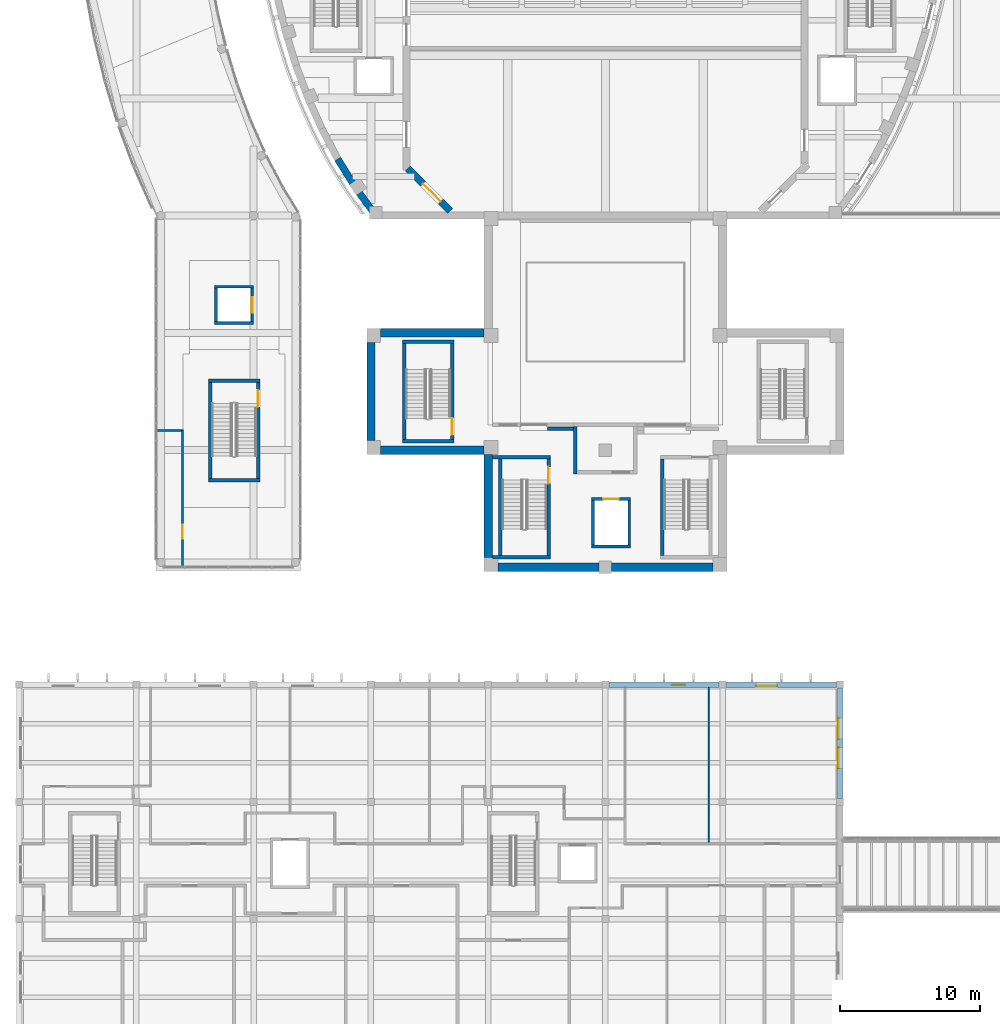
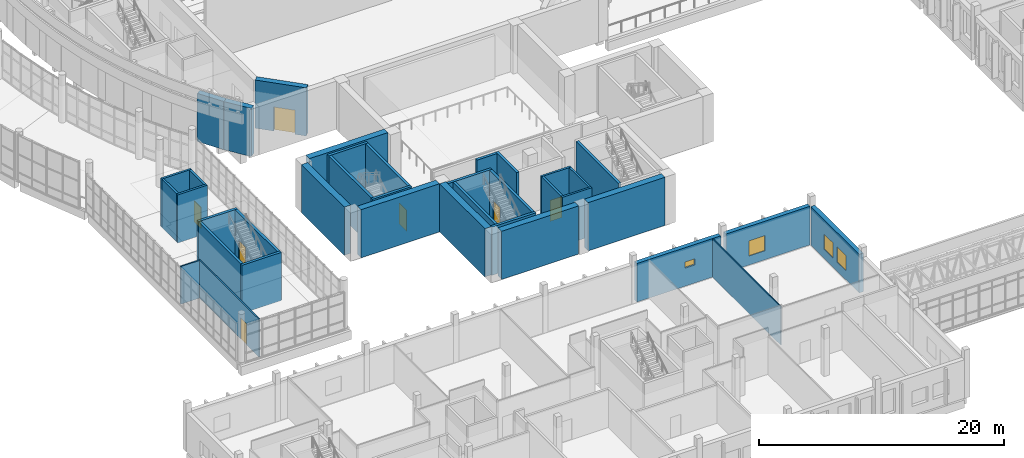
# One storey, part 60 of 119: 38 walls, 7 doors, 4 windows, 11 openings.
"""IFC4 building model written with IfcOpenShell, lengths in metres."""

from ifc_helpers import new_model, si_unit, direction, frame, frame_2d, origin, place, context, subcontext, project, spatial, rectangle, extrude, material, layer, layer_set, type_object, element, fill, save


model = new_model("IFC4")

# Units and contexts
model_context = context("Model", 3, precision=1e-05, world=origin(), true_north=direction((0.0, 1.0)))
body_context = subcontext(model_context, "Body", "Model", "MODEL_VIEW")
ifc_project = project(units=[si_unit("LENGTHUNIT", "METRE"), si_unit("AREAUNIT", "SQUARE_METRE"), si_unit("VOLUMEUNIT", "CUBIC_METRE"), si_unit("PLANEANGLEUNIT", "RADIAN"), si_unit("MASSUNIT", "GRAM", prefix="KILO")], contexts=[model_context])

# Site, building, storey
site_placement = place(None, origin())
site = spatial("IfcSite", under=ifc_project, at=site_placement, CompositionType="ELEMENT")
building_placement = place(site_placement, origin())
building = spatial("IfcBuilding", under=site, at=building_placement, Name="Larchfold Concert Hall", CompositionType="ELEMENT")
storey_placement = place(building_placement, frame((0.0, 0.0, 4.800048828125)))
storey = spatial("IfcBuildingStorey", under=building, at=storey_placement, Name="L01", CompositionType="ELEMENT", Elevation=4.800048828125)

# Wall, opening, door
ifc_material_1 = material(Name="Plasterboard partition on steel studs", Category="steel")
ifc_layer_1 = layer(ifc_material_1, 0.125)
ifc_layer_set_1 = layer_set([ifc_layer_1], Name="Plasterboard partition on steel studs")
wall_type_1 = type_object("IfcWallType", Name="Corridor partition 125 EI 60", PredefinedType="PARTITIONING", material=ifc_layer_set_1)
wall_1_placement = place(storey_placement, frame((12.300048828125, 44.0625, 0.0), z_axis=(0.0, 0.0, 1.0), x_axis=(0.0, -1.0, 0.0)))
wall_1 = element("IfcWall", 1, at=wall_1_placement, inside=storey, type_object=wall_type_1, Name="Partition IW0148", PredefinedType="PARTITIONING", context=body_context, shape_type="SweptSolid", body=[
    extrude(rectangle(XDim=9.78759765625, YDim=0.125, at=frame_2d((4.893798828125, 0.0))), origin(), (0.0, 0.0, 1.0), 3.75),
])
opening_1_placement = place(wall_1_placement, frame((6.815185546875, 0.0, 0.0)))
opening_1 = element("IfcOpeningElement", 2, at=opening_1_placement, cuts=wall_1, Name="Opening D-L01-157", PredefinedType="OPENING", context=body_context, shape_type="SweptSolid", body=[
    extrude(rectangle(XDim=1.0, YDim=2.10009765625, at=frame_2d((0.5, 1.050048828125))), frame((0.0, 0.072509765625, 0.0), z_axis=(0.0, -1.0, 0.0), x_axis=(1.0, 0.0, 0.0)), (0.0, 0.0, 1.0), 0.14501953125),
])
ifc_material_2 = material(Name="Timber door leaf", Category="wood")
door_type_1 = type_object("IfcDoorType", Name="Room door 1000 x 2100 FD30S", OperationType="SINGLE_SWING_LEFT", PredefinedType="DOOR", material=ifc_material_2)
door_1_placement = place(opening_1_placement, origin())
door_1 = element("IfcDoor", 3, at=door_1_placement, inside=storey, type_object=door_type_1, Name="Door D-L01-157", OperationType="SINGLE_SWING_RIGHT", OverallHeight=2.10009765625, OverallWidth=1.0, PredefinedType="DOOR", context=body_context, shape_type="SweptSolid", body=[
    extrude(rectangle(XDim=1.0, YDim=2.10009765625, at=frame_2d((0.5, 1.050048828125))), frame((0.0, 0.02490234375, 0.0), z_axis=(0.0, -1.0, 0.0), x_axis=(1.0, 0.0, 0.0)), (0.0, 0.0, 1.0), 0.050048828125),
])
fill(opening_1, door_1)

# Walls
wall_2_placement = place(storey_placement, frame((10.4833984375, 44.0, 0.0), z_axis=(0.0, 0.0, 1.0), x_axis=(1.0, 0.0, 0.0)))
element("IfcWall", 4, at=wall_2_placement, inside=storey, type_object=wall_type_1, Name="Partition IW0149", PredefinedType="PARTITIONING", context=body_context, shape_type="SweptSolid", body=[
    extrude(rectangle(XDim=1.754150390625, YDim=0.125, at=frame_2d((0.876953125, 0.0))), origin(), (0.0, 0.0, 1.0), 3.75),
])
ifc_material_3 = material(Name="Plasterboard partition on steel studs", Category="steel")
ifc_layer_2 = layer(ifc_material_3, 0.25)
ifc_layer_set_2 = layer_set([ifc_layer_2], Name="Plasterboard partition on steel studs")
wall_type_2 = type_object("IfcWallType", Name="Hall acoustic double-leaf partition 250", PredefinedType="PARTITIONING", material=ifc_layer_set_2)
wall_3_placement = place(storey_placement, frame((40.449951171875, 40.875, 0.0), z_axis=(0.0, 0.0, 1.0), x_axis=(-0.000287232503, 0.999999958749, 0.0)))
element("IfcWall", 5, at=wall_3_placement, inside=storey, type_object=wall_type_2, Name="Partition IW0017", PredefinedType="PARTITIONING", context=body_context, shape_type="SweptSolid", body=[
    extrude(rectangle(XDim=3.39990234375, YDim=0.25, at=frame_2d((1.699951171875, 0.0))), origin(), (0.0, 0.0, 1.0), 4.52001953125),
])
wall_4_placement = place(storey_placement, frame((40.323974609375, 44.14794921875, 0.0), z_axis=(0.0, 0.0, 1.0), x_axis=(-1.0, 0.0, 0.0)))
element("IfcWall", 6, at=wall_4_placement, inside=storey, type_object=wall_type_2, Name="Partition IW0025", PredefinedType="PARTITIONING", context=body_context, shape_type="SweptSolid", body=[
    extrude(rectangle(XDim=1.88916015625, YDim=0.25, at=frame_2d((0.944580078125, 0.0))), origin(), (0.0, 0.0, 1.0), 4.52001953125),
])

# Wall, openings, windows
ifc_material_4 = material(Name="Larch cladding on mineral wool and CLT", Category="wood")
ifc_layer_3 = layer(ifc_material_4, 0.39990234375)
ifc_layer_set_3 = layer_set([ifc_layer_3], Name="Larch cladding on mineral wool and CLT")
wall_type_3 = type_object("IfcWallType", Name="Larch clad infill wall 400", PredefinedType="SOLIDWALL", material=ifc_layer_set_3)
wall_5_placement = place(storey_placement, frame((59.39990234375, 17.64990234375, 0.0), z_axis=(0.0, 0.0, 1.0), x_axis=(0.0, 1.0, 0.0)))
wall_5 = element("IfcWall", 7, at=wall_5_placement, inside=storey, type_object=wall_type_3, Name="Infill wall W5016", PredefinedType="SOLIDWALL", context=body_context, shape_type="SweptSolid", body=[
    extrude(rectangle(XDim=7.900146484375, YDim=0.39990234375, at=frame_2d((3.9501953125, 0.0))), origin(), (0.0, 0.0, 1.0), 3.840087890625),
])
opening_2_placement = place(wall_5_placement, frame((2.150146484375, 0.0, 0.89990234375)))
opening_2 = element("IfcOpeningElement", 8, at=opening_2_placement, cuts=wall_5, Name="Opening WN-L01-003", PredefinedType="OPENING", context=body_context, shape_type="SweptSolid", body=[
    extrude(rectangle(XDim=1.5, YDim=1.5, at=frame_2d((0.75, 0.75))), frame((0.0, 0.2099609375, 0.0), z_axis=(0.0, -1.0, 0.0), x_axis=(1.0, 0.0, 0.0)), (0.0, 0.0, 1.0), 0.419921875),
])
opening_3_placement = place(wall_5_placement, frame((4.25, 0.0, 0.89990234375)))
opening_3 = element("IfcOpeningElement", 9, at=opening_3_placement, cuts=wall_5, Name="Opening WN-L01-004", PredefinedType="OPENING", context=body_context, shape_type="SweptSolid", body=[
    extrude(rectangle(XDim=1.5, YDim=1.5, at=frame_2d((0.75, 0.75))), frame((0.0, 0.2099609375, 0.0), z_axis=(0.0, -1.0, 0.0), x_axis=(1.0, 0.0, 0.0)), (0.0, 0.0, 1.0), 0.419921875),
])
ifc_material_5 = material(Name="Anodised graphite aluminium frame with glass", Category="aluminium")
window_type_1 = type_object("IfcWindowType", Name="Studio window 1500x1500", PartitioningType="DOUBLE_PANEL_VERTICAL", PredefinedType="WINDOW", material=ifc_material_5)
window_1_placement = place(opening_2_placement, origin())
window_1 = element("IfcWindow", 10, at=window_1_placement, inside=storey, type_object=window_type_1, Name="Window WN-L01-003", OverallHeight=1.5, OverallWidth=1.5, PartitioningType="DOUBLE_PANEL_VERTICAL", PredefinedType="WINDOW", context=body_context, shape_type="SweptSolid", body=[
    extrude(rectangle(XDim=1.5, YDim=1.5, at=frame_2d((0.75, 0.75))), frame((0.0, 0.150146484375, 0.0), z_axis=(0.0, -1.0, 0.0), x_axis=(1.0, 0.0, 0.0)), (0.0, 0.0, 1.0), 0.06005859375),
])
fill(opening_2, window_1)
window_2_placement = place(opening_3_placement, origin())
window_2 = element("IfcWindow", 11, at=window_2_placement, inside=storey, type_object=window_type_1, Name="Window WN-L01-004", OverallHeight=1.5, OverallWidth=1.5, PartitioningType="DOUBLE_PANEL_VERTICAL", PredefinedType="WINDOW", context=body_context, shape_type="SweptSolid", body=[
    extrude(rectangle(XDim=1.5, YDim=1.5, at=frame_2d((0.75, 0.75))), frame((0.0, 0.150146484375, 0.0), z_axis=(0.0, -1.0, 0.0), x_axis=(1.0, 0.0, 0.0)), (0.0, 0.0, 1.0), 0.06005859375),
])
fill(opening_3, window_2)

# Wall, opening, window
wall_6_placement = place(storey_placement, frame((59.14990234375, 25.800048828125, 0.0), z_axis=(0.0, 0.0, 1.0), x_axis=(-1.0, 0.0, 0.0)))
wall_6 = element("IfcWall", 12, at=wall_6_placement, inside=storey, type_object=wall_type_3, Name="Infill wall W5017", PredefinedType="SOLIDWALL", context=body_context, shape_type="SweptSolid", body=[
    extrude(rectangle(XDim=7.89990234375, YDim=0.39990234375, at=frame_2d((3.949951171875, 0.0))), origin(), (0.0, 0.0, 1.0), 3.840087890625),
])
opening_4_placement = place(wall_6_placement, frame((4.25, 0.0, 0.89990234375)))
opening_4 = element("IfcOpeningElement", 13, at=opening_4_placement, cuts=wall_6, Name="Opening WN-L01-005", PredefinedType="OPENING", context=body_context, shape_type="SweptSolid", body=[
    extrude(rectangle(XDim=1.5, YDim=1.5, at=frame_2d((0.75, 0.75))), frame((0.0, 0.2099609375, 0.0), z_axis=(0.0, -1.0, 0.0), x_axis=(1.0, 0.0, 0.0)), (0.0, 0.0, 1.0), 0.419921875),
])
window_3_placement = place(opening_4_placement, origin())
window_3 = element("IfcWindow", 14, at=window_3_placement, inside=storey, type_object=window_type_1, Name="Window WN-L01-005", OverallHeight=1.5, OverallWidth=1.5, PartitioningType="DOUBLE_PANEL_VERTICAL", PredefinedType="WINDOW", context=body_context, shape_type="SweptSolid", body=[
    extrude(rectangle(XDim=1.5, YDim=1.5, at=frame_2d((0.75, 0.75))), frame((0.0, 0.150146484375, 0.0), z_axis=(0.0, -1.0, 0.0), x_axis=(1.0, 0.0, 0.0)), (0.0, 0.0, 1.0), 0.06005859375),
])
fill(opening_4, window_3)

wall_7_placement = place(storey_placement, frame((50.75, 25.800048828125, 0.0), z_axis=(0.0, 0.0, 1.0), x_axis=(-1.0, 0.0, 0.0)))
wall_7 = element("IfcWall", 15, at=wall_7_placement, inside=storey, type_object=wall_type_3, Name="Infill wall W5018", PredefinedType="SOLIDWALL", context=body_context, shape_type="SweptSolid", body=[
    extrude(rectangle(XDim=7.89990234375, YDim=0.39990234375, at=frame_2d((3.949951171875, 0.0))), origin(), (0.0, 0.0, 1.0), 3.840087890625),
])
opening_5_placement = place(wall_7_placement, frame((2.449951171875, 0.0, 1.800048828125)))
opening_5 = element("IfcOpeningElement", 16, at=opening_5_placement, cuts=wall_7, Name="Opening WN-L01-006", PredefinedType="OPENING", context=body_context, shape_type="SweptSolid", body=[
    extrude(rectangle(XDim=0.89990234375, YDim=0.60009765625, at=frame_2d((0.449951171875, 0.300048828125))), frame((0.0, 0.2099609375, 0.0), z_axis=(0.0, -1.0, 0.0), x_axis=(1.0, 0.0, 0.0)), (0.0, 0.0, 1.0), 0.419921875),
])
ifc_material_6 = material(Name="Anodised graphite aluminium frame with obscured glass", Category="aluminium")
window_type_2 = type_object("IfcWindowType", Name="Toilet high window 900x600", PartitioningType="SINGLE_PANEL", PredefinedType="WINDOW", material=ifc_material_6)
window_4_placement = place(opening_5_placement, origin())
window_4 = element("IfcWindow", 17, at=window_4_placement, inside=storey, type_object=window_type_2, Name="Window WN-L01-006", OverallHeight=0.60009765625, OverallWidth=0.89990234375, PartitioningType="SINGLE_PANEL", PredefinedType="WINDOW", context=body_context, shape_type="SweptSolid", body=[
    extrude(rectangle(XDim=0.89990234375, YDim=0.60009765625, at=frame_2d((0.449951171875, 0.300048828125))), frame((0.0, 0.06005859375, 0.0), z_axis=(0.0, -1.0, 0.0), x_axis=(1.0, 0.0, 0.0)), (0.0, 0.0, 1.0), 0.06005859375),
])
fill(opening_5, window_4)

# Walls
ifc_material_7 = material(Name="Plasterboard partition on steel studs", Category="steel")
ifc_layer_4 = layer(ifc_material_7, 0.10009765625)
ifc_layer_set_4 = layer_set([ifc_layer_4], Name="Plasterboard partition on steel studs")
wall_type_4 = type_object("IfcWallType", Name="Stud partition 100", PredefinedType="PARTITIONING", material=ifc_layer_set_4)
wall_8_placement = place(storey_placement, frame((50.0, 25.60009765625, 0.0), z_axis=(0.0, 0.0, 1.0), x_axis=(0.0, -1.0, 0.0)))
element("IfcWall", 18, at=wall_8_placement, inside=storey, type_object=wall_type_4, Name="Partition IW0145", PredefinedType="PARTITIONING", context=body_context, shape_type="SweptSolid", body=[
    extrude(rectangle(XDim=11.135009765625, YDim=0.10009765625, at=frame_2d((5.5673828125, 0.0))), origin(), (0.0, 0.0, 1.0), 3.840087890625),
])
ifc_material_8 = material(Name="Concrete C40/50", Category="concrete")
ifc_layer_5 = layer(ifc_material_8, 0.199951171875)
ifc_layer_set_5 = layer_set([ifc_layer_5], Name="Concrete C40/50")
wall_type_5 = type_object("IfcWallType", Name="Wall RC 200 lift shaft", PredefinedType="SOLIDWALL", material=ifc_layer_set_5)
wall_9_placement = place(storey_placement, frame((41.60009765625, 35.7001953125, 0.0), z_axis=(0.0, 0.0, 1.0), x_axis=(1.0, 0.0, 0.0)))
element("IfcWall", 19, at=wall_9_placement, inside=storey, type_object=wall_type_5, Name="Wall W0160", PredefinedType="SOLIDWALL", context=body_context, shape_type="SweptSolid", body=[
    extrude(rectangle(XDim=2.7998046875, YDim=0.199951171875, at=frame_2d((1.39990234375, 0.0))), origin(), (0.0, 0.0, 1.0), 4.800048828125),
])

# Wall, opening, door
wall_10_placement = place(storey_placement, frame((41.60009765625, 39.099853515625, 0.0), z_axis=(0.0, 0.0, 1.0), x_axis=(1.0, 0.0, 0.0)))
wall_10 = element("IfcWall", 20, at=wall_10_placement, inside=storey, type_object=wall_type_5, Name="Wall W0161", PredefinedType="SOLIDWALL", context=body_context, shape_type="SweptSolid", body=[
    extrude(rectangle(XDim=2.7998046875, YDim=0.199951171875, at=frame_2d((1.39990234375, 0.0))), origin(), (0.0, 0.0, 1.0), 4.800048828125),
])
opening_6_placement = place(wall_10_placement, frame((0.849853515625, 0.0, 0.0)))
opening_6 = element("IfcOpeningElement", 21, at=opening_6_placement, cuts=wall_10, Name="Opening LD-LF05", PredefinedType="OPENING", context=body_context, shape_type="SweptSolid", body=[
    extrude(rectangle(XDim=1.10009765625, YDim=2.10009765625, at=frame_2d((0.550048828125, 1.050048828125))), frame((0.0, 0.10986328125, 0.0), z_axis=(0.0, -1.0, 0.0), x_axis=(1.0, 0.0, 0.0)), (0.0, 0.0, 1.0), 0.219970703125),
])
ifc_material_9 = material(Name="Stainless steel sliding leaves", Category="steel")
door_type_2 = type_object("IfcDoorType", Name="Lift landing door sliding 1100 x 2100", OperationType="SLIDING_TO_LEFT", PredefinedType="DOOR", material=ifc_material_9)
door_2_placement = place(opening_6_placement, origin())
door_2 = element("IfcDoor", 22, at=door_2_placement, inside=storey, type_object=door_type_2, Name="Lift landing door LF05", OperationType="SLIDING_TO_LEFT", OverallHeight=2.10009765625, OverallWidth=1.10009765625, PredefinedType="DOOR", context=body_context, shape_type="SweptSolid", body=[
    extrude(rectangle(XDim=1.10009765625, YDim=2.10009765625, at=frame_2d((0.550048828125, 1.050048828125))), frame((0.0, 0.02490234375, 0.0), z_axis=(0.0, -1.0, 0.0), x_axis=(1.0, 0.0, 0.0)), (0.0, 0.0, 1.0), 0.050048828125),
])
fill(opening_6, door_2)

# Walls
for number, where, z_axis, x_axis, name in (
    (23, (41.7001953125, 35.800048828125, 0.0), (0.0, 0.0, 1.0), (0.0, 1.0, 0.0), "Wall W0162"),
    (24, (44.2998046875, 35.800048828125, 0.0), (0.0, 0.0, 1.0), (0.0, 1.0, 0.0), "Wall W0163"),
):
    element("IfcWall", number, at=place(storey_placement, frame(where, z_axis=z_axis, x_axis=x_axis)), inside=storey, type_object=wall_type_5, Name=name, PredefinedType="SOLIDWALL", context=body_context, shape_type="SweptSolid", body=[
        extrude(rectangle(XDim=3.199951171875, YDim=0.199951171875, at=frame_2d((1.60009765625, 0.0))), origin(), (0.0, 0.0, 1.0), 4.800048828125),
    ])
for number, where, z_axis, x_axis, name in (
    (25, (14.60009765625, 51.7001953125, 0.0), (0.0, 0.0, 1.0), (1.0, 0.0, 0.0), "Wall W0188"),
    (26, (14.60009765625, 54.2998046875, 0.0), (0.0, 0.0, 1.0), (1.0, 0.0, 0.0), "Wall W0189"),
):
    element("IfcWall", number, at=place(storey_placement, frame(where, z_axis=z_axis, x_axis=x_axis)), inside=storey, type_object=wall_type_5, Name=name, PredefinedType="SOLIDWALL", context=body_context, shape_type="SweptSolid", body=[
        extrude(rectangle(XDim=2.7998046875, YDim=0.199951171875, at=frame_2d((1.39990234375, 0.0))), origin(), (0.0, 0.0, 1.0), 4.800048828125),
    ])
wall_11_placement = place(storey_placement, frame((14.7001953125, 51.800048828125, 0.0), z_axis=(0.0, 0.0, 1.0), x_axis=(0.0, 1.0, 0.0)))
element("IfcWall", 27, at=wall_11_placement, inside=storey, type_object=wall_type_5, Name="Wall W0190", PredefinedType="SOLIDWALL", context=body_context, shape_type="SweptSolid", body=[
    extrude(rectangle(XDim=2.39990234375, YDim=0.199951171875, at=frame_2d((1.199951171875, 0.0))), origin(), (0.0, 0.0, 1.0), 4.800048828125),
])

# Wall, opening, door
wall_12_placement = place(storey_placement, frame((17.2998046875, 51.800048828125, 0.0), z_axis=(0.0, 0.0, 1.0), x_axis=(0.0, 1.0, 0.0)))
wall_12 = element("IfcWall", 28, at=wall_12_placement, inside=storey, type_object=wall_type_5, Name="Wall W0191", PredefinedType="SOLIDWALL", context=body_context, shape_type="SweptSolid", body=[
    extrude(rectangle(XDim=2.39990234375, YDim=0.199951171875, at=frame_2d((1.199951171875, 0.0))), origin(), (0.0, 0.0, 1.0), 4.800048828125),
])
opening_7_placement = place(wall_12_placement, frame((0.64990234375, 0.0, 0.0)))
opening_7 = element("IfcOpeningElement", 29, at=opening_7_placement, cuts=wall_12, Name="Opening LD-LF12", PredefinedType="OPENING", context=body_context, shape_type="SweptSolid", body=[
    extrude(rectangle(XDim=1.10009765625, YDim=2.10009765625, at=frame_2d((0.550048828125, 1.050048828125))), frame((0.0, 0.10986328125, 0.0), z_axis=(0.0, -1.0, 0.0), x_axis=(1.0, 0.0, 0.0)), (0.0, 0.0, 1.0), 0.219970703125),
])
door_3_placement = place(opening_7_placement, origin())
door_3 = element("IfcDoor", 30, at=door_3_placement, inside=storey, type_object=door_type_2, Name="Lift landing door LF12", OperationType="SLIDING_TO_LEFT", OverallHeight=2.10009765625, OverallWidth=1.10009765625, PredefinedType="DOOR", context=body_context, shape_type="SweptSolid", body=[
    extrude(rectangle(XDim=1.10009765625, YDim=2.10009765625, at=frame_2d((0.550048828125, 1.050048828125))), frame((0.0, 0.02490234375, 0.0), z_axis=(0.0, -1.0, 0.0), x_axis=(1.0, 0.0, 0.0)), (0.0, 0.0, 1.0), 0.050048828125),
])
fill(opening_7, door_3)

# Walls
ifc_material_10 = material(Name="Concrete C40/50", Category="concrete")
ifc_layer_6 = layer(ifc_material_10, 0.25)
ifc_layer_set_6 = layer_set([ifc_layer_6], Name="Concrete C40/50")
wall_type_6 = type_object("IfcWallType", Name="Wall RC 250 stair core", PredefinedType="SOLIDWALL", material=ifc_layer_set_6)
for number, where, z_axis, x_axis, name in (
    (31, (28.050048828125, 43.22509765625, 0.0), (0.0, 0.0, 1.0), (1.0, 0.0, 0.0), "Wall W0064"),
    (32, (28.050048828125, 50.375, 0.0), (0.0, 0.0, 1.0), (1.0, 0.0, 0.0), "Wall W0065"),
):
    element("IfcWall", number, at=place(storey_placement, frame(where, z_axis=z_axis, x_axis=x_axis)), inside=storey, type_object=wall_type_6, Name=name, PredefinedType="SOLIDWALL", context=body_context, shape_type="SweptSolid", body=[
        extrude(rectangle(XDim=3.699951171875, YDim=0.25, at=frame_2d((1.85009765625, 0.0))), origin(), (0.0, 0.0, 1.0), 4.800048828125),
    ])
wall_13_placement = place(storey_placement, frame((28.175048828125, 43.35009765625, 0.0), z_axis=(0.0, 0.0, 1.0), x_axis=(0.0, 1.0, 0.0)))
element("IfcWall", 33, at=wall_13_placement, inside=storey, type_object=wall_type_6, Name="Wall W0066", PredefinedType="SOLIDWALL", context=body_context, shape_type="SweptSolid", body=[
    extrude(rectangle(XDim=6.89990234375, YDim=0.25, at=frame_2d((3.449951171875, 0.0))), origin(), (0.0, 0.0, 1.0), 4.800048828125),
])

# Wall, opening, door
wall_14_placement = place(storey_placement, frame((31.625, 43.35009765625, 0.0), z_axis=(0.0, 0.0, 1.0), x_axis=(0.0, 1.0, 0.0)))
wall_14 = element("IfcWall", 34, at=wall_14_placement, inside=storey, type_object=wall_type_6, Name="Wall W0067", PredefinedType="SOLIDWALL", context=body_context, shape_type="SweptSolid", body=[
    extrude(rectangle(XDim=6.89990234375, YDim=0.25, at=frame_2d((3.449951171875, 0.0))), origin(), (0.0, 0.0, 1.0), 4.800048828125),
])
opening_8_placement = place(wall_14_placement, frame((0.35009765625, 0.0, 0.0)))
opening_8 = element("IfcOpeningElement", 35, at=opening_8_placement, cuts=wall_14, Name="Opening D-L01-171", PredefinedType="OPENING", context=body_context, shape_type="SweptSolid", body=[
    extrude(rectangle(XDim=1.199951171875, YDim=2.10009765625, at=frame_2d((0.60009765625, 1.050048828125))), frame((0.0, 0.135009765625, 0.0), z_axis=(0.0, -1.0, 0.0), x_axis=(1.0, 0.0, 0.0)), (0.0, 0.0, 1.0), 0.27001953125),
])
ifc_material_11 = material(Name="Timber door leaf", Category="wood")
door_type_3 = type_object("IfcDoorType", Name="Stair enclosure door pair 1200 x 2100 FD60", OperationType="SINGLE_SWING_LEFT", PredefinedType="DOOR", material=ifc_material_11)
door_4_placement = place(opening_8_placement, origin())
door_4 = element("IfcDoor", 36, at=door_4_placement, inside=storey, type_object=door_type_3, Name="Door D-L01-171", OperationType="DOUBLE_DOOR_SINGLE_SWING", OverallHeight=2.10009765625, OverallWidth=1.199951171875, PredefinedType="DOOR", context=body_context, shape_type="SweptSolid", body=[
    extrude(rectangle(XDim=1.199951171875, YDim=2.10009765625, at=frame_2d((0.60009765625, 1.050048828125))), frame((0.0, 0.02490234375, 0.0), z_axis=(0.0, -1.0, 0.0), x_axis=(1.0, 0.0, 0.0)), (0.0, 0.0, 1.0), 0.050048828125),
])
fill(opening_8, door_4)

# Walls
for number, where, z_axis, x_axis, name in (
    (37, (34.5, 34.925048828125, 0.0), (0.0, 0.0, 1.0), (1.0, 0.0, 0.0), "Wall W0072"),
    (38, (34.5, 42.074951171875, 0.0), (0.0, 0.0, 1.0), (1.0, 0.0, 0.0), "Wall W0073"),
):
    element("IfcWall", number, at=place(storey_placement, frame(where, z_axis=z_axis, x_axis=x_axis)), inside=storey, type_object=wall_type_6, Name=name, PredefinedType="SOLIDWALL", context=body_context, shape_type="SweptSolid", body=[
        extrude(rectangle(XDim=4.14990234375, YDim=0.25, at=frame_2d((2.074951171875, 0.0))), origin(), (0.0, 0.0, 1.0), 4.800048828125),
    ])
wall_15_placement = place(storey_placement, frame((35.074951171875, 35.050048828125, 0.0), z_axis=(0.0, 0.0, 1.0), x_axis=(0.0, 1.0, 0.0)))
element("IfcWall", 39, at=wall_15_placement, inside=storey, type_object=wall_type_6, Name="Wall W0074", PredefinedType="SOLIDWALL", context=body_context, shape_type="SweptSolid", body=[
    extrude(rectangle(XDim=6.89990234375, YDim=0.25, at=frame_2d((3.449951171875, 0.0))), origin(), (0.0, 0.0, 1.0), 4.800048828125),
])

# Wall, opening, door
wall_16_placement = place(storey_placement, frame((38.52490234375, 35.050048828125, 0.0), z_axis=(0.0, 0.0, 1.0), x_axis=(0.0, 1.0, 0.0)))
wall_16 = element("IfcWall", 40, at=wall_16_placement, inside=storey, type_object=wall_type_6, Name="Wall W0075", PredefinedType="SOLIDWALL", context=body_context, shape_type="SweptSolid", body=[
    extrude(rectangle(XDim=6.89990234375, YDim=0.25, at=frame_2d((3.449951171875, 0.0))), origin(), (0.0, 0.0, 1.0), 4.800048828125),
])
opening_9_placement = place(wall_16_placement, frame((5.14990234375, 0.0, 0.0)))
opening_9 = element("IfcOpeningElement", 41, at=opening_9_placement, cuts=wall_16, Name="Opening D-L01-169", PredefinedType="OPENING", context=body_context, shape_type="SweptSolid", body=[
    extrude(rectangle(XDim=1.199951171875, YDim=2.10009765625, at=frame_2d((0.60009765625, 1.050048828125))), frame((0.0, 0.135009765625, 0.0), z_axis=(0.0, -1.0, 0.0), x_axis=(1.0, 0.0, 0.0)), (0.0, 0.0, 1.0), 0.27001953125),
])
door_5_placement = place(opening_9_placement, origin())
door_5 = element("IfcDoor", 42, at=door_5_placement, inside=storey, type_object=door_type_3, Name="Door D-L01-169", OperationType="DOUBLE_DOOR_SINGLE_SWING", OverallHeight=2.10009765625, OverallWidth=1.199951171875, PredefinedType="DOOR", context=body_context, shape_type="SweptSolid", body=[
    extrude(rectangle(XDim=1.199951171875, YDim=2.10009765625, at=frame_2d((0.60009765625, 1.050048828125))), frame((0.0, 0.02490234375, 0.0), z_axis=(0.0, -1.0, 0.0), x_axis=(1.0, 0.0, 0.0)), (0.0, 0.0, 1.0), 0.050048828125),
])
fill(opening_9, door_5)

# Walls
wall_17_placement = place(storey_placement, frame((46.675048828125, 35.050048828125, 0.0), z_axis=(0.0, 0.0, 1.0), x_axis=(0.0, 1.0, 0.0)))
element("IfcWall", 43, at=wall_17_placement, inside=storey, type_object=wall_type_6, Name="Wall W0078", PredefinedType="SOLIDWALL", context=body_context, shape_type="SweptSolid", body=[
    extrude(rectangle(XDim=6.89990234375, YDim=0.25, at=frame_2d((3.449951171875, 0.0))), origin(), (0.0, 0.0, 1.0), 4.800048828125),
])
for number, where, z_axis, x_axis, name in (
    (44, (14.14990234375, 40.425048828125, 0.0), (0.0, 0.0, 1.0), (1.0, 0.0, 0.0), "Wall W0120"),
    (45, (14.14990234375, 47.574951171875, 0.0), (0.0, 0.0, 1.0), (1.0, 0.0, 0.0), "Wall W0121"),
):
    element("IfcWall", number, at=place(storey_placement, frame(where, z_axis=z_axis, x_axis=x_axis)), inside=storey, type_object=wall_type_6, Name=name, PredefinedType="SOLIDWALL", context=body_context, shape_type="SweptSolid", body=[
        extrude(rectangle(XDim=3.7001953125, YDim=0.25, at=frame_2d((1.85009765625, 0.0))), origin(), (0.0, 0.0, 1.0), 4.800048828125),
    ])
wall_18_placement = place(storey_placement, frame((14.27490234375, 40.550048828125, 0.0), z_axis=(0.0, 0.0, 1.0), x_axis=(0.0, 1.0, 0.0)))
element("IfcWall", 46, at=wall_18_placement, inside=storey, type_object=wall_type_6, Name="Wall W0122", PredefinedType="SOLIDWALL", context=body_context, shape_type="SweptSolid", body=[
    extrude(rectangle(XDim=6.89990234375, YDim=0.25, at=frame_2d((3.449951171875, 0.0))), origin(), (0.0, 0.0, 1.0), 4.800048828125),
])

# Wall, opening, door
wall_19_placement = place(storey_placement, frame((17.72509765625, 40.550048828125, 0.0), z_axis=(0.0, 0.0, 1.0), x_axis=(0.0, 1.0, 0.0)))
wall_19 = element("IfcWall", 47, at=wall_19_placement, inside=storey, type_object=wall_type_6, Name="Wall W0123", PredefinedType="SOLIDWALL", context=body_context, shape_type="SweptSolid", body=[
    extrude(rectangle(XDim=6.89990234375, YDim=0.25, at=frame_2d((3.449951171875, 0.0))), origin(), (0.0, 0.0, 1.0), 4.800048828125),
])
opening_10_placement = place(wall_19_placement, frame((5.14990234375, 0.0, 0.0)))
opening_10 = element("IfcOpeningElement", 48, at=opening_10_placement, cuts=wall_19, Name="Opening D-L01-183", PredefinedType="OPENING", context=body_context, shape_type="SweptSolid", body=[
    extrude(rectangle(XDim=1.199951171875, YDim=2.10009765625, at=frame_2d((0.60009765625, 1.050048828125))), frame((0.0, 0.135009765625, 0.0), z_axis=(0.0, -1.0, 0.0), x_axis=(1.0, 0.0, 0.0)), (0.0, 0.0, 1.0), 0.27001953125),
])
door_6_placement = place(opening_10_placement, origin())
door_6 = element("IfcDoor", 49, at=door_6_placement, inside=storey, type_object=door_type_3, Name="Door D-L01-183", OperationType="DOUBLE_DOOR_SINGLE_SWING", OverallHeight=2.10009765625, OverallWidth=1.199951171875, PredefinedType="DOOR", context=body_context, shape_type="SweptSolid", body=[
    extrude(rectangle(XDim=1.199951171875, YDim=2.10009765625, at=frame_2d((0.60009765625, 1.050048828125))), frame((0.0, 0.02490234375, 0.0), z_axis=(0.0, -1.0, 0.0), x_axis=(1.0, 0.0, 0.0)), (0.0, 0.0, 1.0), 0.050048828125),
])
fill(opening_10, door_6)

# Walls
ifc_material_12 = material(Name="Concrete C30/37", Category="concrete")
ifc_layer_7 = layer(ifc_material_12, 0.5)
ifc_layer_set_7 = layer_set([ifc_layer_7], Name="Concrete C30/37")
wall_type_7 = type_object("IfcWallType", Name="Wall RC 500 drum facade", PredefinedType="SOLIDWALL", material=ifc_layer_set_7)
wall_20_placement = place(storey_placement, frame((23.414306640625, 63.45556640625, 0.0), z_axis=(0.0, 0.0, 1.0), x_axis=(0.527702820527, -0.849429063082, 0.0)))
element("IfcWall", 50, at=wall_20_placement, inside=storey, type_object=wall_type_7, Name="Wall DW048", PredefinedType="SOLIDWALL", context=body_context, shape_type="SweptSolid", body=[
    extrude(rectangle(XDim=2.44873046875, YDim=0.5, at=frame_2d((1.224365234375, 0.0))), origin(), (0.0, 0.0, 1.0), 4.800048828125),
])
wall_21_placement = place(storey_placement, frame((24.70654296875, 61.37548828125, 0.0), z_axis=(0.0, 0.0, 1.0), x_axis=(0.590771306399, -0.806839056774, 0.0)))
element("IfcWall", 51, at=wall_21_placement, inside=storey, type_object=wall_type_7, Name="Wall DW049", PredefinedType="SOLIDWALL", context=body_context, shape_type="SweptSolid", body=[
    extrude(rectangle(XDim=2.448486328125, YDim=0.5, at=frame_2d((1.22412109375, 0.0))), origin(), (0.0, 0.0, 1.0), 4.800048828125),
])

# Wall, opening, door
ifc_material_13 = material(Name="Concrete C40/50", Category="concrete")
ifc_layer_8 = layer(ifc_material_13, 0.5)
ifc_layer_set_8 = layer_set([ifc_layer_8], Name="Concrete C40/50")
wall_type_8 = type_object("IfcWallType", Name="Wall RC 500 hall shell", PredefinedType="SOLIDWALL", material=ifc_layer_set_8)
wall_22_placement = place(storey_placement, frame((28.4228515625, 62.777099609375, 0.0), z_axis=(0.0, 0.0, 1.0), x_axis=(0.707106781187, -0.707106781187, 0.0)))
wall_22 = element("IfcWall", 52, at=wall_22_placement, inside=storey, type_object=wall_type_8, Name="Wall W0007", PredefinedType="SOLIDWALL", context=body_context, shape_type="SweptSolid", body=[
    extrude(rectangle(XDim=4.319580078125, YDim=0.5, at=frame_2d((2.15966796875, 0.0))), origin(), (0.0, 0.0, 1.0), 4.800048828125),
])
opening_11_placement = place(wall_22_placement, frame((1.557861328125, 0.0, 0.0)))
opening_11 = element("IfcOpeningElement", 53, at=opening_11_placement, cuts=wall_22, Name="Opening D-L01-100", PredefinedType="OPENING", context=body_context, shape_type="SweptSolid", body=[
    extrude(rectangle(XDim=1.800048828125, YDim=2.39990234375, at=frame_2d((0.89990234375, 1.199951171875))), frame((0.0, 0.260009765625, 0.0), z_axis=(0.0, -1.0, 0.0), x_axis=(1.0, 0.0, 0.0)), (0.0, 0.0, 1.0), 0.52001953125),
])
ifc_material_14 = material(Name="Timber door leaf", Category="wood")
door_type_4 = type_object("IfcDoorType", Name="Hall vomitory door pair, acoustic 1800 x 2400 FD60", OperationType="SINGLE_SWING_LEFT", PredefinedType="DOOR", material=ifc_material_14)
door_7_placement = place(opening_11_placement, origin())
door_7 = element("IfcDoor", 54, at=door_7_placement, inside=storey, type_object=door_type_4, Name="Door D-L01-100", OperationType="DOUBLE_DOOR_SINGLE_SWING", OverallHeight=2.39990234375, OverallWidth=1.800048828125, PredefinedType="DOOR", context=body_context, shape_type="SweptSolid", body=[
    extrude(rectangle(XDim=1.800048828125, YDim=2.39990234375, at=frame_2d((0.89990234375, 1.199951171875))), frame((0.0, 0.02490234375, 0.0), z_axis=(0.0, -1.0, 0.0), x_axis=(1.0, 0.0, 0.0)), (0.0, 0.0, 1.0), 0.050048828125),
])
fill(opening_11, door_7)

# Walls
ifc_material_15 = material(Name="Concrete C40/50", Category="concrete")
ifc_layer_9 = layer(ifc_material_15, 0.60009765625)
ifc_layer_set_9 = layer_set([ifc_layer_9], Name="Concrete C40/50")
wall_type_9 = type_object("IfcWallType", Name="Wall RC 600 stage house", PredefinedType="SOLIDWALL", material=ifc_layer_set_9)
wall_23_placement = place(storey_placement, frame((33.89990234375, 51.0, 0.0), z_axis=(0.0, 0.0, 1.0), x_axis=(-1.0, 0.0, 0.0)))
element("IfcWall", 55, at=wall_23_placement, inside=storey, type_object=wall_type_9, Name="Wall W0013", PredefinedType="SOLIDWALL", context=body_context, shape_type="SweptSolid", body=[
    extrude(rectangle(XDim=7.39990234375, YDim=0.60009765625, at=frame_2d((3.699951171875, 0.0))), origin(), (0.0, 0.0, 1.0), 4.800048828125),
])
wall_24_placement = place(storey_placement, frame((25.800048828125, 50.300048828125, 0.0), z_axis=(0.0, 0.0, 1.0), x_axis=(0.0, -1.0, 0.0)))
element("IfcWall", 56, at=wall_24_placement, inside=storey, type_object=wall_type_9, Name="Wall W0014", PredefinedType="SOLIDWALL", context=body_context, shape_type="SweptSolid", body=[
    extrude(rectangle(XDim=7.0, YDim=0.60009765625, at=frame_2d((3.5, 0.0))), origin(), (0.0, 0.0, 1.0), 4.800048828125),
])
wall_25_placement = place(storey_placement, frame((26.5, 42.60009765625, 0.0), z_axis=(0.0, 0.0, 1.0), x_axis=(1.0, 0.0, 0.0)))
element("IfcWall", 57, at=wall_25_placement, inside=storey, type_object=wall_type_9, Name="Wall W0015", PredefinedType="SOLIDWALL", context=body_context, shape_type="SweptSolid", body=[
    extrude(rectangle(XDim=7.39990234375, YDim=0.60009765625, at=frame_2d((3.699951171875, 0.0))), origin(), (0.0, 0.0, 1.0), 4.800048828125),
])
wall_26_placement = place(storey_placement, frame((34.199951171875, 42.300048828125, 0.0), z_axis=(0.0, 0.0, 1.0), x_axis=(0.0, -1.0, 0.0)))
element("IfcWall", 58, at=wall_26_placement, inside=storey, type_object=wall_type_9, Name="Wall W0016", PredefinedType="SOLIDWALL", context=body_context, shape_type="SweptSolid", body=[
    extrude(rectangle(XDim=7.400146484375, YDim=0.60009765625, at=frame_2d((3.7001953125, 0.0))), origin(), (0.0, 0.0, 1.0), 4.800048828125),
])
wall_27_placement = place(storey_placement, frame((34.89990234375, 34.199951171875, 0.0), z_axis=(0.0, 0.0, 1.0), x_axis=(1.0, 0.0, 0.0)))
element("IfcWall", 59, at=wall_27_placement, inside=storey, type_object=wall_type_9, Name="Wall W0017", PredefinedType="SOLIDWALL", context=body_context, shape_type="SweptSolid", body=[
    extrude(rectangle(XDim=7.250244140625, YDim=0.60009765625, at=frame_2d((3.625, 0.0))), origin(), (0.0, 0.0, 1.0), 4.800048828125),
])
wall_28_placement = place(storey_placement, frame((43.050048828125, 34.199951171875, 0.0), z_axis=(0.0, 0.0, 1.0), x_axis=(1.0, 0.0, 0.0)))
element("IfcWall", 60, at=wall_28_placement, inside=storey, type_object=wall_type_9, Name="Wall W0018", PredefinedType="SOLIDWALL", context=body_context, shape_type="SweptSolid", body=[
    extrude(rectangle(XDim=7.25, YDim=0.60009765625, at=frame_2d((3.625, 0.0))), origin(), (0.0, 0.0, 1.0), 4.800048828125),
])

save(model, "model.ifc")
